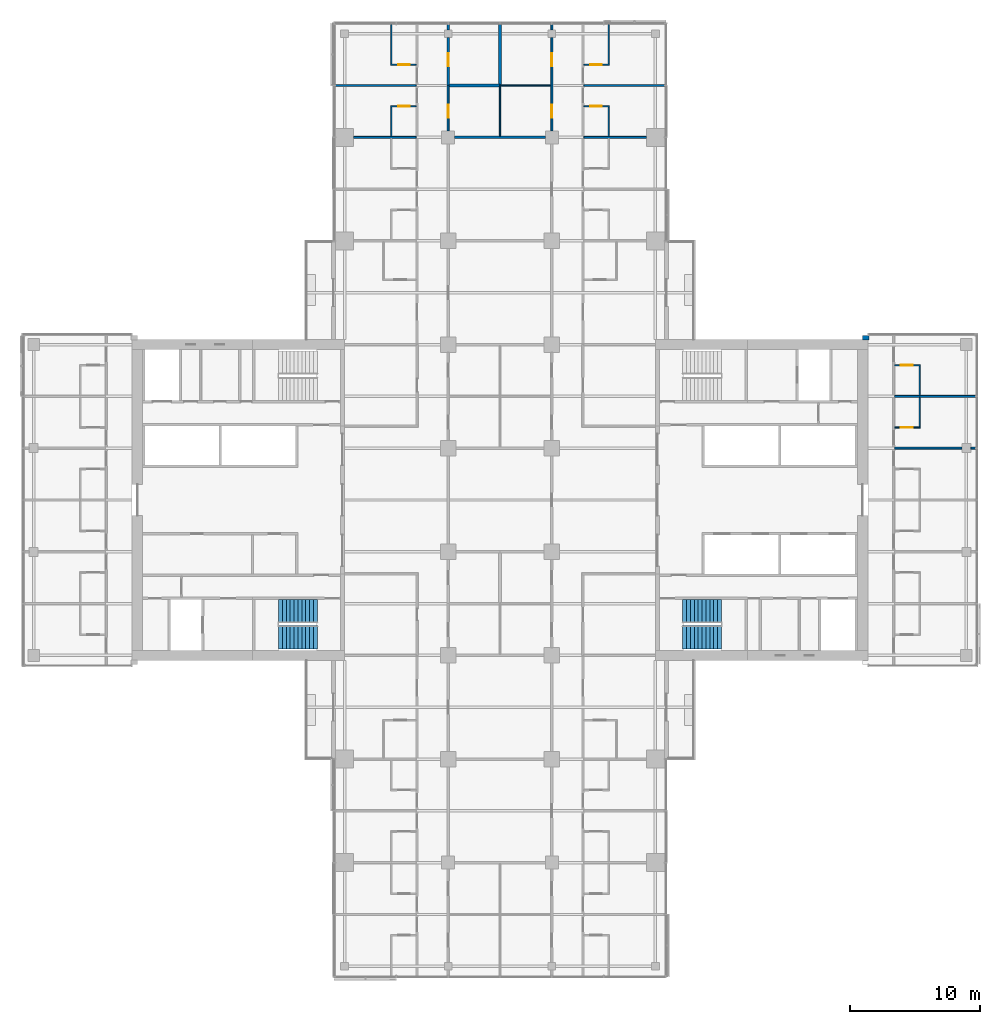
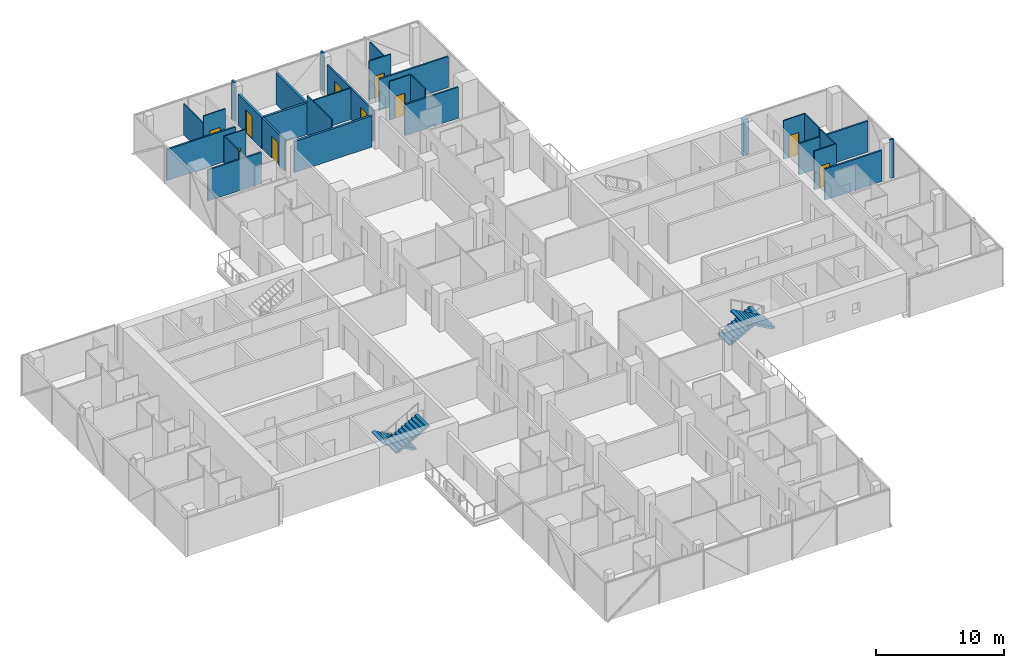
# One storey, part 23 of 29: 30 walls, 10 doors, 4 stair flights, 10 openings, 2 elements without a shape of their own.
"""IFC4 building model written with IfcOpenShell, lengths in metres."""

from ifc_helpers import new_model, si_unit, direction, frame, frame_2d, origin, place, context, subcontext, project, spatial, polyline, rectangle, outline, extrude, material, layer, layer_set, type_object, element, fill, aggregate, save


model = new_model("IFC4")

# Units and contexts
model_context = context("Model", 3, precision=1e-05, world=origin(), true_north=direction((0.0, 1.0)))
body_context = subcontext(model_context, "Body", "Model", "MODEL_VIEW")
ifc_project = project(units=[si_unit("LENGTHUNIT", "METRE"), si_unit("AREAUNIT", "SQUARE_METRE"), si_unit("VOLUMEUNIT", "CUBIC_METRE"), si_unit("PLANEANGLEUNIT", "RADIAN"), si_unit("MASSUNIT", "GRAM", prefix="KILO")], contexts=[model_context])

# Site, building, storey
site_placement = place(None, origin())
site = spatial("IfcSite", under=ifc_project, at=site_placement, CompositionType="ELEMENT")
building_placement = place(site_placement, origin())
building = spatial("IfcBuilding", under=site, at=building_placement, Name="Crosswind Convention Tower", CompositionType="ELEMENT")
storey_placement = place(building_placement, frame((0.0, 0.0, 60.89990234375)))
storey = spatial("IfcBuildingStorey", under=building, at=storey_placement, Name="L09", CompositionType="ELEMENT", Elevation=60.89990234375)

# Wall
ifc_material_1 = material(Name="Concrete blockwork", Category="masonry")
ifc_layer_1 = layer(ifc_material_1, 0.199951171875)
ifc_layer_set_1 = layer_set([ifc_layer_1], Name="COMPARTMENT WALL 200")
wall_type_1 = type_object("IfcWallType", Name="COMPARTMENT WALL 200", PredefinedType="SOLIDWALL", material=ifc_layer_set_1)
wall_1_placement = place(storey_placement, frame((121.074951171875, 132.0, 0.0), z_axis=(0.0, 0.0, 1.0), x_axis=(1.0, 0.0, 0.0)))
element("IfcWall", 1, at=wall_1_placement, inside=storey, type_object=wall_type_1, Name="Compartment Wall 81", PredefinedType="SOLIDWALL", context=body_context, shape_type="SweptSolid", body=[
    extrude(rectangle(XDim=3.925048828125, YDim=0.199951171875, at=frame_2d((1.96240234375, 0.0))), origin(), (0.0, 0.0, 1.0), 3.013671875),
])

# Wall, opening, door
wall_2_placement = place(storey_placement, frame((121.0, 132.0, 0.0), z_axis=(0.0, 0.0, 1.0), x_axis=(0.0, 1.0, 0.0)))
wall_2 = element("IfcWall", 2, at=wall_2_placement, inside=storey, type_object=wall_type_1, Name="Compartment Wall 118", PredefinedType="SOLIDWALL", context=body_context, shape_type="SweptSolid", body=[
    extrude(rectangle(XDim=3.699951171875, YDim=0.199951171875, at=frame_2d((1.85009765625, 0.0))), origin(), (0.0, 0.0, 1.0), 2.9599609375),
])
opening_1_placement = place(wall_2_placement, frame((1.5, 0.0, 0.0)))
opening_1 = element("IfcOpeningElement", 3, at=opening_1_placement, cuts=wall_2, Name="Opening 09.087", PredefinedType="OPENING", context=body_context, shape_type="SweptSolid", body=[
    extrude(rectangle(XDim=1.0, YDim=2.199951171875, at=frame_2d((0.5, 1.10009765625))), frame((0.0, 0.10986328125, 0.0), z_axis=(0.0, -1.0, 0.0), x_axis=(1.0, 0.0, 0.0)), (0.0, 0.0, 1.0), 0.219970703125),
])
ifc_material_2 = material(Name="Steel fire door", Category="steel")
door_type_1 = type_object("IfcDoorType", Name="PLANT ROOM DOOR 1000X2200", OperationType="NOTDEFINED", PredefinedType="DOOR", material=ifc_material_2)
door_1_placement = place(opening_1_placement, frame((1.0, 0.0, 0.0), z_axis=(0.0, 0.0, 1.0), x_axis=(-1.0, 0.0, 0.0)))
door_1 = element("IfcDoor", 4, at=door_1_placement, inside=storey, type_object=door_type_1, Name="Door 09.087", ObjectType="D6", OperationType="SINGLE_SWING_LEFT", OverallHeight=2.199951171875, OverallWidth=1.0, PredefinedType="DOOR", context=body_context, shape_type="SweptSolid", body=[
    extrude(rectangle(XDim=1.0, YDim=2.199951171875, at=frame_2d((0.5, 1.10009765625))), frame((0.0, 0.02490234375, 0.0), z_axis=(0.0, -1.0, 0.0), x_axis=(1.0, 0.0, 0.0)), (0.0, 0.0, 1.0), 0.050048828125),
])
fill(opening_1, door_1)

# Walls
wall_3_placement = place(storey_placement, frame((121.0, 136.300048828125, 0.0), z_axis=(0.0, 0.0, 1.0), x_axis=(0.0, 1.0, 0.0)))
element("IfcWall", 5, at=wall_3_placement, inside=storey, type_object=wall_type_1, Name="Compartment Wall 119", PredefinedType="SOLIDWALL", context=body_context, shape_type="SweptSolid", body=[
    extrude(rectangle(XDim=0.39990234375, YDim=0.199951171875, at=frame_2d((0.199951171875, 0.0))), origin(), (0.0, 0.0, 1.0), 3.7001953125),
])
wall_4_placement = place(storey_placement, frame((125.0, 132.050048828125, 0.0), z_axis=(0.0, 0.0, 1.0), x_axis=(0.0, 1.0, 0.0)))
element("IfcWall", 6, at=wall_4_placement, inside=storey, type_object=wall_type_1, Name="Compartment Wall 127", PredefinedType="SOLIDWALL", context=body_context, shape_type="SweptSolid", body=[
    extrude(rectangle(XDim=4.64990234375, YDim=0.199951171875, at=frame_2d((2.324951171875, 0.0))), origin(), (0.0, 0.0, 1.0), 2.962890625),
])

# Wall, opening, door
ifc_material_3 = material(Name="Plasterboard partition", Category="gypsum")
ifc_layer_2 = layer(ifc_material_3, 0.14990234375)
ifc_layer_set_2 = layer_set([ifc_layer_2], Name="CORRIDOR WALL 150")
wall_type_2 = type_object("IfcWallType", Name="CORRIDOR WALL 150", PredefinedType="PARTITIONING", material=ifc_layer_set_2)
wall_5_placement = place(storey_placement, frame((121.0, 128.5, 0.0), z_axis=(0.0, 0.0, 1.0), x_axis=(0.0, 1.0, 0.0)))
wall_5 = element("IfcWall", 7, at=wall_5_placement, inside=storey, type_object=wall_type_2, Name="Corridor Wall 117", PredefinedType="PARTITIONING", context=body_context, shape_type="SweptSolid", body=[
    extrude(rectangle(XDim=3.5, YDim=0.14990234375, at=frame_2d((1.75, 0.0))), origin(), (0.0, 0.0, 1.0), 2.9599609375),
])
opening_2_placement = place(wall_5_placement, frame((1.0, 0.0, 0.0)))
opening_2 = element("IfcOpeningElement", 8, at=opening_2_placement, cuts=wall_5, Name="Opening 09.086", PredefinedType="OPENING", context=body_context, shape_type="SweptSolid", body=[
    extrude(rectangle(XDim=1.0, YDim=2.10009765625, at=frame_2d((0.5, 1.050048828125))), frame((0.0, 0.0849609375, 0.0), z_axis=(0.0, -1.0, 0.0), x_axis=(1.0, 0.0, 0.0)), (0.0, 0.0, 1.0), 0.169921875),
])
ifc_material_4 = material(Name="Timber fire door", Category="wood")
door_type_2 = type_object("IfcDoorType", Name="SERVICE ROOM DOOR 1000X2100", OperationType="NOTDEFINED", PredefinedType="DOOR", material=ifc_material_4)
door_2_placement = place(opening_2_placement, frame((1.0, 0.0, 0.0), z_axis=(0.0, 0.0, 1.0), x_axis=(-1.0, 0.0, 0.0)))
door_2 = element("IfcDoor", 9, at=door_2_placement, inside=storey, type_object=door_type_2, Name="Door 09.086", ObjectType="D3", OperationType="SINGLE_SWING_RIGHT", OverallHeight=2.10009765625, OverallWidth=1.0, PredefinedType="DOOR", context=body_context, shape_type="SweptSolid", body=[
    extrude(rectangle(XDim=1.0, YDim=2.10009765625, at=frame_2d((0.5, 1.050048828125))), frame((0.0, 0.02490234375, 0.0), z_axis=(0.0, -1.0, 0.0), x_axis=(1.0, 0.0, 0.0)), (0.0, 0.0, 1.0), 0.050048828125),
])
fill(opening_2, door_2)

# Wall, openings, doors
wall_6_placement = place(storey_placement, frame((129.0, 128.5, 0.0), z_axis=(0.0, 0.0, 1.0), x_axis=(0.0, 1.0, 0.0)))
wall_6 = element("IfcWall", 10, at=wall_6_placement, inside=storey, type_object=wall_type_2, Name="Corridor Wall 137", PredefinedType="PARTITIONING", context=body_context, shape_type="SweptSolid", body=[
    extrude(rectangle(XDim=7.199951171875, YDim=0.14990234375, at=frame_2d((3.60009765625, 0.0))), origin(), (0.0, 0.0, 1.0), 2.9599609375),
])
opening_3_placement = place(wall_6_placement, frame((1.0, 0.0, 0.0)))
opening_3 = element("IfcOpeningElement", 11, at=opening_3_placement, cuts=wall_6, Name="Opening 09.088", PredefinedType="OPENING", context=body_context, shape_type="SweptSolid", body=[
    extrude(rectangle(XDim=1.0, YDim=2.10009765625, at=frame_2d((0.5, 1.050048828125))), frame((0.0, 0.0849609375, 0.0), z_axis=(0.0, -1.0, 0.0), x_axis=(1.0, 0.0, 0.0)), (0.0, 0.0, 1.0), 0.169921875),
])
opening_4_placement = place(wall_6_placement, frame((5.0, 0.0, 0.0)))
opening_4 = element("IfcOpeningElement", 12, at=opening_4_placement, cuts=wall_6, Name="Opening 09.089", PredefinedType="OPENING", context=body_context, shape_type="SweptSolid", body=[
    extrude(rectangle(XDim=1.0, YDim=2.10009765625, at=frame_2d((0.5, 1.050048828125))), frame((0.0, 0.0849609375, 0.0), z_axis=(0.0, -1.0, 0.0), x_axis=(1.0, 0.0, 0.0)), (0.0, 0.0, 1.0), 0.169921875),
])
door_3_placement = place(opening_3_placement, origin())
door_3 = element("IfcDoor", 13, at=door_3_placement, inside=storey, type_object=door_type_2, Name="Door 09.088", ObjectType="D3", OperationType="SINGLE_SWING_LEFT", OverallHeight=2.10009765625, OverallWidth=1.0, PredefinedType="DOOR", context=body_context, shape_type="SweptSolid", body=[
    extrude(rectangle(XDim=1.0, YDim=2.10009765625, at=frame_2d((0.5, 1.050048828125))), frame((0.0, 0.02490234375, 0.0), z_axis=(0.0, -1.0, 0.0), x_axis=(1.0, 0.0, 0.0)), (0.0, 0.0, 1.0), 0.050048828125),
])
fill(opening_3, door_3)
door_4_placement = place(opening_4_placement, origin())
door_4 = element("IfcDoor", 14, at=door_4_placement, inside=storey, type_object=door_type_2, Name="Door 09.089", ObjectType="D3", OperationType="SINGLE_SWING_RIGHT", OverallHeight=2.10009765625, OverallWidth=1.0, PredefinedType="DOOR", context=body_context, shape_type="SweptSolid", body=[
    extrude(rectangle(XDim=1.0, YDim=2.10009765625, at=frame_2d((0.5, 1.050048828125))), frame((0.0, 0.02490234375, 0.0), z_axis=(0.0, -1.0, 0.0), x_axis=(1.0, 0.0, 0.0)), (0.0, 0.0, 1.0), 0.050048828125),
])
fill(opening_4, door_4)

# Walls
wall_7_placement = place(storey_placement, frame((129.0, 136.300048828125, 0.0), z_axis=(0.0, 0.0, 1.0), x_axis=(0.0, 1.0, 0.0)))
element("IfcWall", 15, at=wall_7_placement, inside=storey, type_object=wall_type_2, Name="Corridor Wall 138", PredefinedType="PARTITIONING", context=body_context, shape_type="SweptSolid", body=[
    extrude(rectangle(XDim=0.39990234375, YDim=0.14990234375, at=frame_2d((0.199951171875, 0.0))), origin(), (0.0, 0.0, 1.0), 3.7001953125),
])
ifc_material_5 = material(Name="Acoustic plasterboard partition", Category="gypsum")
ifc_layer_3 = layer(ifc_material_5, 0.14990234375)
ifc_layer_set_3 = layer_set([ifc_layer_3], Name="GUEST ROOM WALL 150")
wall_type_3 = type_object("IfcWallType", Name="GUEST ROOM WALL 150", PredefinedType="PARTITIONING", material=ifc_layer_set_3)
wall_8_placement = place(storey_placement, frame((155.47509765625, 104.0, 0.0), z_axis=(0.0, 0.0, 1.0), x_axis=(1.0, 0.0, 0.0)))
element("IfcWall", 16, at=wall_8_placement, inside=storey, type_object=wall_type_3, Name="Guest Room Wall 50", PredefinedType="PARTITIONING", context=body_context, shape_type="SweptSolid", body=[
    extrude(rectangle(XDim=5.1748046875, YDim=0.14990234375, at=frame_2d((2.58740234375, 0.0))), origin(), (0.0, 0.0, 1.0), 2.95654296875),
])
wall_9_placement = place(storey_placement, frame((161.35009765625, 104.0, 0.0), z_axis=(0.0, 0.0, 1.0), x_axis=(1.0, 0.0, 0.0)))
element("IfcWall", 17, at=wall_9_placement, inside=storey, type_object=wall_type_3, Name="Guest Room Wall 51", PredefinedType="PARTITIONING", context=body_context, shape_type="SweptSolid", body=[
    extrude(rectangle(XDim=0.349853515625, YDim=0.14990234375, at=frame_2d((0.1748046875, 0.0))), origin(), (0.0, 0.0, 1.0), 3.7001953125),
])
wall_10_placement = place(storey_placement, frame((155.47509765625, 108.0, 0.0), z_axis=(0.0, 0.0, 1.0), x_axis=(1.0, 0.0, 0.0)))
element("IfcWall", 18, at=wall_10_placement, inside=storey, type_object=wall_type_3, Name="Guest Room Wall 58", PredefinedType="PARTITIONING", context=body_context, shape_type="SweptSolid", body=[
    extrude(rectangle(XDim=6.224853515625, YDim=0.14990234375, at=frame_2d((3.1123046875, 0.0))), origin(), (0.0, 0.0, 1.0), 2.962890625),
])
for number, where, z_axis, x_axis, name in (
    (19, (113.699951171875, 128.0, 0.0), (0.0, 0.0, 1.0), (1.0, 0.0, 0.0), "Guest Room Wall 75"),
    (20, (131.47509765625, 128.0, 0.0), (0.0, 0.0, 1.0), (1.0, 0.0, 0.0), "Guest Room Wall 77"),
):
    element("IfcWall", number, at=place(storey_placement, frame(where, z_axis=z_axis, x_axis=x_axis)), inside=storey, type_object=wall_type_3, Name=name, PredefinedType="PARTITIONING", context=body_context, shape_type="SweptSolid", body=[
        extrude(rectangle(XDim=4.824951171875, YDim=0.14990234375, at=frame_2d((2.41259765625, 0.0))), origin(), (0.0, 0.0, 1.0), 2.9599609375),
    ])
for number, where, z_axis, x_axis, name in (
    (21, (112.300048828125, 132.0, 0.0), (0.0, 0.0, 1.0), (1.0, 0.0, 0.0), "Guest Room Wall 80"),
    (22, (131.47509765625, 132.0, 0.0), (0.0, 0.0, 1.0), (1.0, 0.0, 0.0), "Guest Room Wall 83"),
):
    element("IfcWall", number, at=place(storey_placement, frame(where, z_axis=z_axis, x_axis=x_axis)), inside=storey, type_object=wall_type_3, Name=name, PredefinedType="PARTITIONING", context=body_context, shape_type="SweptSolid", body=[
        extrude(rectangle(XDim=6.224853515625, YDim=0.14990234375, at=frame_2d((3.1123046875, 0.0))), origin(), (0.0, 0.0, 1.0), 2.962890625),
    ])
ifc_material_6 = material(Name="Double plasterboard partition", Category="gypsum")
ifc_layer_4 = layer(ifc_material_6, 0.199951171875)
ifc_layer_set_4 = layer_set([ifc_layer_4], Name="HALL WALL 200")
wall_type_4 = type_object("IfcWallType", Name="HALL WALL 200", PredefinedType="PARTITIONING", material=ifc_layer_set_4)
wall_11_placement = place(storey_placement, frame((121.5, 128.0, 0.0), z_axis=(0.0, 0.0, 1.0), x_axis=(1.0, 0.0, 0.0)))
element("IfcWall", 23, at=wall_11_placement, inside=storey, type_object=wall_type_4, Name="Hall Wall 76", PredefinedType="PARTITIONING", context=body_context, shape_type="SweptSolid", body=[
    extrude(rectangle(XDim=7.0, YDim=0.199951171875, at=frame_2d((3.5, 0.0))), origin(), (0.0, 0.0, 1.0), 2.9599609375),
])
ifc_layer_5 = layer(ifc_material_3, 0.10009765625)
ifc_layer_set_5 = layer_set([ifc_layer_5], Name="PARTITION 100")
wall_type_5 = type_object("IfcWallType", Name="PARTITION 100", PredefinedType="PARTITIONING", material=ifc_layer_set_5)
wall_12_placement = place(storey_placement, frame((125.0, 132.0, 0.0), z_axis=(0.0, 0.0, 1.0), x_axis=(1.0, 0.0, 0.0)))
element("IfcWall", 24, at=wall_12_placement, inside=storey, type_object=wall_type_5, Name="Partition 82", PredefinedType="PARTITIONING", context=body_context, shape_type="SweptSolid", body=[
    extrude(rectangle(XDim=3.925048828125, YDim=0.10009765625, at=frame_2d((1.96240234375, 0.0))), origin(), (0.0, 0.0, 1.0), 3.013671875),
])
wall_13_placement = place(storey_placement, frame((125.0, 128.10009765625, 0.0), z_axis=(0.0, 0.0, 1.0), x_axis=(0.0, 1.0, 0.0)))
element("IfcWall", 25, at=wall_13_placement, inside=storey, type_object=wall_type_5, Name="Partition 126", PredefinedType="PARTITIONING", context=body_context, shape_type="SweptSolid", body=[
    extrude(rectangle(XDim=3.849853515625, YDim=0.10009765625, at=frame_2d((1.9248046875, 0.0))), origin(), (0.0, 0.0, 1.0), 3.7001953125),
])
ifc_material_7 = material(Name="Terracotta rainscreen", Category="ceramic")
ifc_layer_6 = layer(ifc_material_7, 0.02001953125)
ifc_material_8 = material(Name="Mineral wool insulation", Category="insulation")
ifc_layer_7 = layer(ifc_material_8, 0.10009765625)
ifc_layer_8 = layer(ifc_material_1, 0.236083984375)
ifc_layer_set_6 = layer_set([ifc_layer_6, ifc_layer_7, ifc_layer_8], Name="TERRACOTTA CORNER INFILL WALL 356")
wall_type_6 = type_object("IfcWallType", Name="TERRACOTTA CORNER INFILL WALL 356", PredefinedType="SOLIDWALL", material=ifc_layer_set_6)
wall_14_placement = place(storey_placement, frame((153.0, 112.52197265625, 0.0), z_axis=(0.0, 0.0, 1.0), x_axis=(1.0, 0.0, 0.0)))
element("IfcWall", 26, at=wall_14_placement, inside=storey, type_object=wall_type_6, Name="Core corner infill wall L09 1", PredefinedType="SOLIDWALL", context=body_context, shape_type="SweptSolid", body=[
    extrude(rectangle(XDim=0.5048828125, YDim=0.35595703125, at=frame_2d((0.25244140625, 0.0))), origin(), (0.0, 0.0, 1.0), 3.420166015625),
])

# Wall, opening, door
ifc_material_9 = material(Name="Water-resistant plasterboard partition", Category="gypsum")
ifc_layer_9 = layer(ifc_material_9, 0.10009765625)
ifc_layer_set_7 = layer_set([ifc_layer_9], Name="WET ROOM PARTITION 100")
wall_type_7 = type_object("IfcWallType", Name="WET ROOM PARTITION 100", PredefinedType="PLUMBINGWALL", material=ifc_layer_set_7)
wall_15_placement = place(storey_placement, frame((155.47509765625, 105.60009765625, 0.0), z_axis=(0.0, 0.0, 1.0), x_axis=(1.0, 0.0, 0.0)))
wall_15 = element("IfcWall", 27, at=wall_15_placement, inside=storey, type_object=wall_type_7, Name="Wet Room Partition 53", PredefinedType="PLUMBINGWALL", context=body_context, shape_type="SweptSolid", body=[
    extrude(rectangle(XDim=1.974853515625, YDim=0.10009765625, at=frame_2d((0.9873046875, 0.0))), origin(), (0.0, 0.0, 1.0), 3.7001953125),
])
opening_5_placement = place(wall_15_placement, frame((0.47509765625, 0.0, 0.0)))
opening_5 = element("IfcOpeningElement", 28, at=opening_5_placement, cuts=wall_15, Name="Opening 09.054", PredefinedType="OPENING", context=body_context, shape_type="SweptSolid", body=[
    extrude(rectangle(XDim=0.89990234375, YDim=2.10009765625, at=frame_2d((0.449951171875, 1.050048828125))), frame((0.0, 0.06005859375, 0.0), z_axis=(0.0, -1.0, 0.0), x_axis=(1.0, 0.0, 0.0)), (0.0, 0.0, 1.0), 0.1201171875),
])
ifc_material_10 = material(Name="Timber door", Category="wood")
door_type_3 = type_object("IfcDoorType", Name="EN-SUITE DOOR 900X2100", OperationType="NOTDEFINED", PredefinedType="DOOR", material=ifc_material_10)
door_5_placement = place(opening_5_placement, origin())
door_5 = element("IfcDoor", 29, at=door_5_placement, inside=storey, type_object=door_type_3, Name="Door 09.054", ObjectType="D2", OperationType="SINGLE_SWING_RIGHT", OverallHeight=2.10009765625, OverallWidth=0.89990234375, PredefinedType="DOOR", context=body_context, shape_type="SweptSolid", body=[
    extrude(rectangle(XDim=0.89990234375, YDim=2.10009765625, at=frame_2d((0.449951171875, 1.050048828125))), frame((0.0, 0.02490234375, 0.0), z_axis=(0.0, -1.0, 0.0), x_axis=(1.0, 0.0, 0.0)), (0.0, 0.0, 1.0), 0.050048828125),
])
fill(opening_5, door_5)

wall_16_placement = place(storey_placement, frame((155.47509765625, 110.39990234375, 0.0), z_axis=(0.0, 0.0, 1.0), x_axis=(1.0, 0.0, 0.0)))
wall_16 = element("IfcWall", 30, at=wall_16_placement, inside=storey, type_object=wall_type_7, Name="Wet Room Partition 60", PredefinedType="PLUMBINGWALL", context=body_context, shape_type="SweptSolid", body=[
    extrude(rectangle(XDim=1.974853515625, YDim=0.10009765625, at=frame_2d((0.9873046875, 0.0))), origin(), (0.0, 0.0, 1.0), 3.7001953125),
])
opening_6_placement = place(wall_16_placement, frame((0.47509765625, 0.0, 0.0)))
opening_6 = element("IfcOpeningElement", 31, at=opening_6_placement, cuts=wall_16, Name="Opening 09.056", PredefinedType="OPENING", context=body_context, shape_type="SweptSolid", body=[
    extrude(rectangle(XDim=0.89990234375, YDim=2.10009765625, at=frame_2d((0.449951171875, 1.050048828125))), frame((0.0, 0.06005859375, 0.0), z_axis=(0.0, -1.0, 0.0), x_axis=(1.0, 0.0, 0.0)), (0.0, 0.0, 1.0), 0.1201171875),
])
door_6_placement = place(opening_6_placement, frame((0.89990234375, 0.0, 0.0), z_axis=(0.0, 0.0, 1.0), x_axis=(-1.0, 0.0, 0.0)))
door_6 = element("IfcDoor", 32, at=door_6_placement, inside=storey, type_object=door_type_3, Name="Door 09.056", ObjectType="D2", OperationType="SINGLE_SWING_LEFT", OverallHeight=2.10009765625, OverallWidth=0.89990234375, PredefinedType="DOOR", context=body_context, shape_type="SweptSolid", body=[
    extrude(rectangle(XDim=0.89990234375, YDim=2.10009765625, at=frame_2d((0.449951171875, 1.050048828125))), frame((0.0, 0.02490234375, 0.0), z_axis=(0.0, -1.0, 0.0), x_axis=(1.0, 0.0, 0.0)), (0.0, 0.0, 1.0), 0.050048828125),
])
fill(opening_6, door_6)

wall_17_placement = place(storey_placement, frame((116.550048828125, 130.39990234375, 0.0), z_axis=(0.0, 0.0, 1.0), x_axis=(1.0, 0.0, 0.0)))
wall_17 = element("IfcWall", 33, at=wall_17_placement, inside=storey, type_object=wall_type_7, Name="Wet Room Partition 78", PredefinedType="PLUMBINGWALL", context=body_context, shape_type="SweptSolid", body=[
    extrude(rectangle(XDim=1.974853515625, YDim=0.10009765625, at=frame_2d((0.9873046875, 0.0))), origin(), (0.0, 0.0, 1.0), 3.7001953125),
])
opening_7_placement = place(wall_17_placement, frame((0.60009765625, 0.0, 0.0)))
opening_7 = element("IfcOpeningElement", 34, at=opening_7_placement, cuts=wall_17, Name="Opening 09.022", PredefinedType="OPENING", context=body_context, shape_type="SweptSolid", body=[
    extrude(rectangle(XDim=0.89990234375, YDim=2.10009765625, at=frame_2d((0.449951171875, 1.050048828125))), frame((0.0, 0.06005859375, 0.0), z_axis=(0.0, -1.0, 0.0), x_axis=(1.0, 0.0, 0.0)), (0.0, 0.0, 1.0), 0.1201171875),
])
door_7_placement = place(opening_7_placement, frame((0.89990234375, 0.0, 0.0), z_axis=(0.0, 0.0, 1.0), x_axis=(-1.0, 0.0, 0.0)))
door_7 = element("IfcDoor", 35, at=door_7_placement, inside=storey, type_object=door_type_3, Name="Door 09.022", ObjectType="D2", OperationType="SINGLE_SWING_LEFT", OverallHeight=2.10009765625, OverallWidth=0.89990234375, PredefinedType="DOOR", context=body_context, shape_type="SweptSolid", body=[
    extrude(rectangle(XDim=0.89990234375, YDim=2.10009765625, at=frame_2d((0.449951171875, 1.050048828125))), frame((0.0, 0.02490234375, 0.0), z_axis=(0.0, -1.0, 0.0), x_axis=(1.0, 0.0, 0.0)), (0.0, 0.0, 1.0), 0.050048828125),
])
fill(opening_7, door_7)

wall_18_placement = place(storey_placement, frame((131.47509765625, 130.39990234375, 0.0), z_axis=(0.0, 0.0, 1.0), x_axis=(1.0, 0.0, 0.0)))
wall_18 = element("IfcWall", 36, at=wall_18_placement, inside=storey, type_object=wall_type_7, Name="Wet Room Partition 79", PredefinedType="PLUMBINGWALL", context=body_context, shape_type="SweptSolid", body=[
    extrude(rectangle(XDim=1.974853515625, YDim=0.10009765625, at=frame_2d((0.9873046875, 0.0))), origin(), (0.0, 0.0, 1.0), 3.7001953125),
])
opening_8_placement = place(wall_18_placement, frame((0.47509765625, 0.0, 0.0)))
opening_8 = element("IfcOpeningElement", 37, at=opening_8_placement, cuts=wall_18, Name="Opening 09.012", PredefinedType="OPENING", context=body_context, shape_type="SweptSolid", body=[
    extrude(rectangle(XDim=0.89990234375, YDim=2.10009765625, at=frame_2d((0.449951171875, 1.050048828125))), frame((0.0, 0.06005859375, 0.0), z_axis=(0.0, -1.0, 0.0), x_axis=(1.0, 0.0, 0.0)), (0.0, 0.0, 1.0), 0.1201171875),
])
door_8_placement = place(opening_8_placement, frame((0.89990234375, 0.0, 0.0), z_axis=(0.0, 0.0, 1.0), x_axis=(-1.0, 0.0, 0.0)))
door_8 = element("IfcDoor", 38, at=door_8_placement, inside=storey, type_object=door_type_3, Name="Door 09.012", ObjectType="D2", OperationType="SINGLE_SWING_LEFT", OverallHeight=2.10009765625, OverallWidth=0.89990234375, PredefinedType="DOOR", context=body_context, shape_type="SweptSolid", body=[
    extrude(rectangle(XDim=0.89990234375, YDim=2.10009765625, at=frame_2d((0.449951171875, 1.050048828125))), frame((0.0, 0.02490234375, 0.0), z_axis=(0.0, -1.0, 0.0), x_axis=(1.0, 0.0, 0.0)), (0.0, 0.0, 1.0), 0.050048828125),
])
fill(opening_8, door_8)

wall_19_placement = place(storey_placement, frame((116.550048828125, 133.60009765625, 0.0), z_axis=(0.0, 0.0, 1.0), x_axis=(1.0, 0.0, 0.0)))
wall_19 = element("IfcWall", 39, at=wall_19_placement, inside=storey, type_object=wall_type_7, Name="Wet Room Partition 84", PredefinedType="PLUMBINGWALL", context=body_context, shape_type="SweptSolid", body=[
    extrude(rectangle(XDim=1.974853515625, YDim=0.10009765625, at=frame_2d((0.9873046875, 0.0))), origin(), (0.0, 0.0, 1.0), 3.7001953125),
])
opening_9_placement = place(wall_19_placement, frame((0.60009765625, 0.0, 0.0)))
opening_9 = element("IfcOpeningElement", 40, at=opening_9_placement, cuts=wall_19, Name="Opening 09.024", PredefinedType="OPENING", context=body_context, shape_type="SweptSolid", body=[
    extrude(rectangle(XDim=0.89990234375, YDim=2.10009765625, at=frame_2d((0.449951171875, 1.050048828125))), frame((0.0, 0.06005859375, 0.0), z_axis=(0.0, -1.0, 0.0), x_axis=(1.0, 0.0, 0.0)), (0.0, 0.0, 1.0), 0.1201171875),
])
door_9_placement = place(opening_9_placement, origin())
door_9 = element("IfcDoor", 41, at=door_9_placement, inside=storey, type_object=door_type_3, Name="Door 09.024", ObjectType="D2", OperationType="SINGLE_SWING_RIGHT", OverallHeight=2.10009765625, OverallWidth=0.89990234375, PredefinedType="DOOR", context=body_context, shape_type="SweptSolid", body=[
    extrude(rectangle(XDim=0.89990234375, YDim=2.10009765625, at=frame_2d((0.449951171875, 1.050048828125))), frame((0.0, 0.02490234375, 0.0), z_axis=(0.0, -1.0, 0.0), x_axis=(1.0, 0.0, 0.0)), (0.0, 0.0, 1.0), 0.050048828125),
])
fill(opening_9, door_9)

wall_20_placement = place(storey_placement, frame((131.47509765625, 133.60009765625, 0.0), z_axis=(0.0, 0.0, 1.0), x_axis=(1.0, 0.0, 0.0)))
wall_20 = element("IfcWall", 42, at=wall_20_placement, inside=storey, type_object=wall_type_7, Name="Wet Room Partition 85", PredefinedType="PLUMBINGWALL", context=body_context, shape_type="SweptSolid", body=[
    extrude(rectangle(XDim=1.974853515625, YDim=0.10009765625, at=frame_2d((0.9873046875, 0.0))), origin(), (0.0, 0.0, 1.0), 3.7001953125),
])
opening_10_placement = place(wall_20_placement, frame((0.47509765625, 0.0, 0.0)))
opening_10 = element("IfcOpeningElement", 43, at=opening_10_placement, cuts=wall_20, Name="Opening 09.014", PredefinedType="OPENING", context=body_context, shape_type="SweptSolid", body=[
    extrude(rectangle(XDim=0.89990234375, YDim=2.10009765625, at=frame_2d((0.449951171875, 1.050048828125))), frame((0.0, 0.06005859375, 0.0), z_axis=(0.0, -1.0, 0.0), x_axis=(1.0, 0.0, 0.0)), (0.0, 0.0, 1.0), 0.1201171875),
])
door_10_placement = place(opening_10_placement, origin())
door_10 = element("IfcDoor", 44, at=door_10_placement, inside=storey, type_object=door_type_3, Name="Door 09.014", ObjectType="D2", OperationType="SINGLE_SWING_RIGHT", OverallHeight=2.10009765625, OverallWidth=0.89990234375, PredefinedType="DOOR", context=body_context, shape_type="SweptSolid", body=[
    extrude(rectangle(XDim=0.89990234375, YDim=2.10009765625, at=frame_2d((0.449951171875, 1.050048828125))), frame((0.0, 0.02490234375, 0.0), z_axis=(0.0, -1.0, 0.0), x_axis=(1.0, 0.0, 0.0)), (0.0, 0.0, 1.0), 0.050048828125),
])
fill(opening_10, door_10)

# Walls
wall_21_placement = place(storey_placement, frame((116.60009765625, 128.074951171875, 0.0), z_axis=(0.0, 0.0, 1.0), x_axis=(0.0, 1.0, 0.0)))
element("IfcWall", 45, at=wall_21_placement, inside=storey, type_object=wall_type_7, Name="Wet Room Partition 101", PredefinedType="PLUMBINGWALL", context=body_context, shape_type="SweptSolid", body=[
    extrude(rectangle(XDim=2.275146484375, YDim=0.10009765625, at=frame_2d((1.1376953125, 0.0))), origin(), (0.0, 0.0, 1.0), 3.7001953125),
])
wall_22_placement = place(storey_placement, frame((116.60009765625, 133.64990234375, 0.0), z_axis=(0.0, 0.0, 1.0), x_axis=(0.0, 1.0, 0.0)))
element("IfcWall", 46, at=wall_22_placement, inside=storey, type_object=wall_type_7, Name="Wet Room Partition 102", PredefinedType="PLUMBINGWALL", context=body_context, shape_type="SweptSolid", body=[
    extrude(rectangle(XDim=3.050048828125, YDim=0.10009765625, at=frame_2d((1.52490234375, 0.0))), origin(), (0.0, 0.0, 1.0), 2.962890625),
])
wall_23_placement = place(storey_placement, frame((133.39990234375, 128.074951171875, 0.0), z_axis=(0.0, 0.0, 1.0), x_axis=(0.0, 1.0, 0.0)))
element("IfcWall", 47, at=wall_23_placement, inside=storey, type_object=wall_type_7, Name="Wet Room Partition 149", PredefinedType="PLUMBINGWALL", context=body_context, shape_type="SweptSolid", body=[
    extrude(rectangle(XDim=2.275146484375, YDim=0.10009765625, at=frame_2d((1.1376953125, 0.0))), origin(), (0.0, 0.0, 1.0), 3.7001953125),
])
wall_24_placement = place(storey_placement, frame((133.39990234375, 133.64990234375, 0.0), z_axis=(0.0, 0.0, 1.0), x_axis=(0.0, 1.0, 0.0)))
element("IfcWall", 48, at=wall_24_placement, inside=storey, type_object=wall_type_7, Name="Wet Room Partition 150", PredefinedType="PLUMBINGWALL", context=body_context, shape_type="SweptSolid", body=[
    extrude(rectangle(XDim=3.050048828125, YDim=0.10009765625, at=frame_2d((1.52490234375, 0.0))), origin(), (0.0, 0.0, 1.0), 2.962890625),
])
for number, where, z_axis, x_axis, name in (
    (49, (157.39990234375, 105.64990234375, 0.0), (0.0, 0.0, 1.0), (0.0, 1.0, 0.0), "Wet Room Partition 158"),
    (50, (157.39990234375, 108.074951171875, 0.0), (0.0, 0.0, 1.0), (0.0, 1.0, 0.0), "Wet Room Partition 159"),
):
    element("IfcWall", number, at=place(storey_placement, frame(where, z_axis=z_axis, x_axis=x_axis)), inside=storey, type_object=wall_type_7, Name=name, PredefinedType="PLUMBINGWALL", context=body_context, shape_type="SweptSolid", body=[
        extrude(rectangle(XDim=2.275146484375, YDim=0.10009765625, at=frame_2d((1.1376953125, 0.0))), origin(), (0.0, 0.0, 1.0), 3.7001953125),
    ])

# Stair, stair flights
ifc_material_11 = material(Name="Concrete C40/50", Category="concrete")
stair_type = type_object("IfcStairType", Name="Exit stair 1800 wide, 2 flights of 11 risers", PredefinedType="HALF_TURN_STAIR", material=ifc_material_11)
stair_1_placement = place(storey_placement, origin())
stair_1 = element("IfcStair", 51, at=stair_1_placement, inside=storey, type_object=stair_type, Name="Exit stair ST2 L09", ObjectType="ST5", PredefinedType="HALF_TURN_STAIR")
stair_flight_type = type_object("IfcStairFlightType", Name="Stair flight 1800 wide, 11 risers (SF3)", PredefinedType="STRAIGHT", material=ifc_material_11)
stair_flight_1_placement = place(storey_placement, frame((139.10009765625, 91.39990234375, 0.0), z_axis=(0.0, 0.0, 1.0), x_axis=(1.0, 0.0, 0.0)))
stair_flight_1 = element("IfcStairFlight", 52, at=stair_flight_1_placement, type_object=stair_flight_type, Name="ST2 flight 1", NumberOfRisers=11, NumberOfTreads=10, PredefinedType="STRAIGHT", RiserHeight=0.168181818, TreadLength=0.3, context=body_context, shape_type="SweptSolid", body=[
    extrude(outline(polyline([(0.0, 0.0), (0.0, 0.168212890625), (0.300048828125, 0.168212890625), (0.300048828125, 0.33642578125), (0.60009765625, 0.33642578125), (0.60009765625, 0.504638671875), (0.89990234375, 0.504638671875), (0.89990234375, 0.672607421875), (1.199951171875, 0.672607421875), (1.199951171875, 0.8408203125), (1.5, 0.8408203125), (1.5, 1.009033203125), (1.800048828125, 1.009033203125), (1.800048828125, 1.17724609375), (2.10009765625, 1.17724609375), (2.10009765625, 1.345458984375), (2.39990234375, 1.345458984375), (2.39990234375, 1.513671875), (2.699951171875, 1.513671875), (2.699951171875, 1.681884765625), (3.0, 1.681884765625), (3.0, 1.85009765625), (3.0, 1.510009765625), (0.306640625, 0.0), (0.0, 0.0)])), frame((0.0, 0.89990234375, 0.0), z_axis=(0.0, -1.0, 0.0), x_axis=(1.0, 0.0, 0.0)), (0.0, 0.0, 1.0), 1.800048828125),
])
stair_flight_2_placement = place(storey_placement, frame((142.10009765625, 89.39990234375, 1.85009765625), z_axis=(0.0, 0.0, 1.0), x_axis=(-1.0, 0.0, 0.0)))
stair_flight_2 = element("IfcStairFlight", 53, at=stair_flight_2_placement, type_object=stair_flight_type, Name="ST2 flight 2", NumberOfRisers=11, NumberOfTreads=10, PredefinedType="STRAIGHT", RiserHeight=0.168181818, TreadLength=0.3, context=body_context, shape_type="SweptSolid", body=[
    extrude(outline(polyline([(0.0, 0.0), (0.0, 0.168212890625), (0.300048828125, 0.168212890625), (0.300048828125, 0.33642578125), (0.60009765625, 0.33642578125), (0.60009765625, 0.504638671875), (0.89990234375, 0.504638671875), (0.89990234375, 0.672607421875), (1.199951171875, 0.672607421875), (1.199951171875, 0.8408203125), (1.5, 0.8408203125), (1.5, 1.009033203125), (1.800048828125, 1.009033203125), (1.800048828125, 1.17724609375), (2.10009765625, 1.17724609375), (2.10009765625, 1.345458984375), (2.39990234375, 1.345458984375), (2.39990234375, 1.513671875), (2.699951171875, 1.513671875), (2.699951171875, 1.681884765625), (3.0, 1.681884765625), (3.0, 1.85009765625), (3.0, 1.510009765625), (0.306640625, 0.0), (0.0, 0.0)])), frame((0.0, 0.89990234375, 0.0), z_axis=(0.0, -1.0, 0.0), x_axis=(1.0, 0.0, 0.0)), (0.0, 0.0, 1.0), 1.800048828125),
])
aggregate(stair_1, [stair_flight_1, stair_flight_2])

stair_2_placement = place(storey_placement, origin())
stair_2 = element("IfcStair", 54, at=stair_2_placement, inside=storey, type_object=stair_type, Name="Exit stair ST3 L09", ObjectType="ST5", PredefinedType="HALF_TURN_STAIR")
stair_flight_3_placement = place(storey_placement, frame((110.89990234375, 91.39990234375, 0.0), z_axis=(0.0, 0.0, 1.0), x_axis=(-1.0, 0.0, 0.0)))
stair_flight_3 = element("IfcStairFlight", 55, at=stair_flight_3_placement, type_object=stair_flight_type, Name="ST3 flight 1", NumberOfRisers=11, NumberOfTreads=10, PredefinedType="STRAIGHT", RiserHeight=0.168181818, TreadLength=0.3, context=body_context, shape_type="SweptSolid", body=[
    extrude(outline(polyline([(0.0, 0.0), (0.0, 0.168212890625), (0.300048828125, 0.168212890625), (0.300048828125, 0.33642578125), (0.60009765625, 0.33642578125), (0.60009765625, 0.504638671875), (0.89990234375, 0.504638671875), (0.89990234375, 0.672607421875), (1.199951171875, 0.672607421875), (1.199951171875, 0.8408203125), (1.5, 0.8408203125), (1.5, 1.009033203125), (1.800048828125, 1.009033203125), (1.800048828125, 1.17724609375), (2.10009765625, 1.17724609375), (2.10009765625, 1.345458984375), (2.39990234375, 1.345458984375), (2.39990234375, 1.513671875), (2.699951171875, 1.513671875), (2.699951171875, 1.681884765625), (3.0, 1.681884765625), (3.0, 1.85009765625), (3.0, 1.510009765625), (0.306640625, 0.0), (0.0, 0.0)])), frame((0.0, 0.89990234375, 0.0), z_axis=(0.0, -1.0, 0.0), x_axis=(1.0, 0.0, 0.0)), (0.0, 0.0, 1.0), 1.800048828125),
])
stair_flight_4_placement = place(storey_placement, frame((107.89990234375, 89.39990234375, 1.85009765625), z_axis=(0.0, 0.0, 1.0), x_axis=(1.0, 0.0, 0.0)))
stair_flight_4 = element("IfcStairFlight", 56, at=stair_flight_4_placement, type_object=stair_flight_type, Name="ST3 flight 2", NumberOfRisers=11, NumberOfTreads=10, PredefinedType="STRAIGHT", RiserHeight=0.168181818, TreadLength=0.3, context=body_context, shape_type="SweptSolid", body=[
    extrude(outline(polyline([(0.0, 0.0), (0.0, 0.168212890625), (0.300048828125, 0.168212890625), (0.300048828125, 0.33642578125), (0.60009765625, 0.33642578125), (0.60009765625, 0.504638671875), (0.89990234375, 0.504638671875), (0.89990234375, 0.672607421875), (1.199951171875, 0.672607421875), (1.199951171875, 0.8408203125), (1.5, 0.8408203125), (1.5, 1.009033203125), (1.800048828125, 1.009033203125), (1.800048828125, 1.17724609375), (2.10009765625, 1.17724609375), (2.10009765625, 1.345458984375), (2.39990234375, 1.345458984375), (2.39990234375, 1.513671875), (2.699951171875, 1.513671875), (2.699951171875, 1.681884765625), (3.0, 1.681884765625), (3.0, 1.85009765625), (3.0, 1.510009765625), (0.306640625, 0.0), (0.0, 0.0)])), frame((0.0, 0.89990234375, 0.0), z_axis=(0.0, -1.0, 0.0), x_axis=(1.0, 0.0, 0.0)), (0.0, 0.0, 1.0), 1.800048828125),
])
aggregate(stair_2, [stair_flight_3, stair_flight_4])

save(model, "model.ifc")
